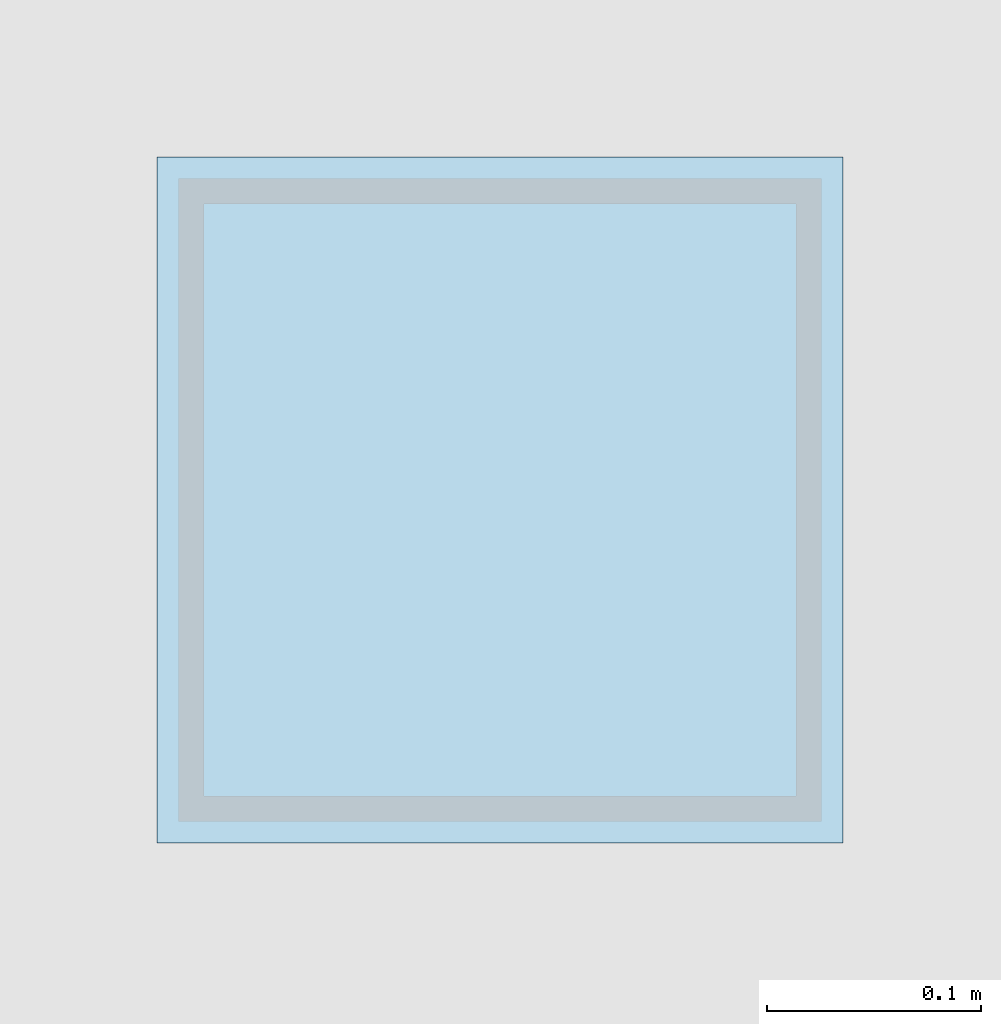
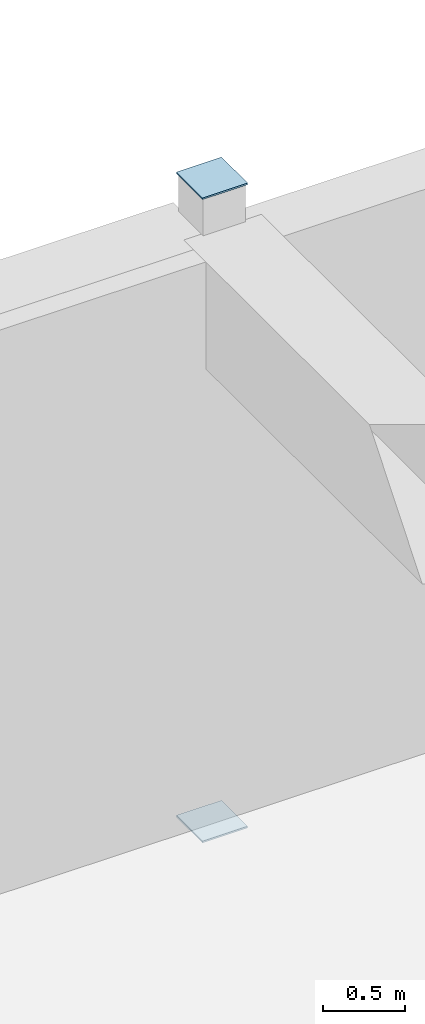
# One storey, part 23 of 42: 2 plates.
"""IFC4 building model written with IfcOpenShell, lengths in metres."""

from ifc_helpers import new_model, si_unit, direction, frame, origin, origin_2d, place, context, subcontext, project, spatial, rectangle, extrude, material, layer, layer_set, type_object, element, save


model = new_model("IFC4")

# Units and contexts
model_context = context("Model", 3, precision=1e-05, world=origin(), true_north=direction((0.0, 1.0)))
body_context = subcontext(model_context, "Body", "Model", "MODEL_VIEW")
ifc_project = project(units=[si_unit("LENGTHUNIT", "METRE"), si_unit("AREAUNIT", "SQUARE_METRE"), si_unit("VOLUMEUNIT", "CUBIC_METRE"), si_unit("PLANEANGLEUNIT", "RADIAN"), si_unit("MASSUNIT", "GRAM", prefix="KILO")], contexts=[model_context])

# Site, building, storey
site_placement = place(None, origin())
site = spatial("IfcSite", under=ifc_project, at=site_placement, CompositionType="ELEMENT")
building_placement = place(site_placement, origin())
building = spatial("IfcBuilding", under=site, at=building_placement, Name="Quendrovan Civic Courthouse", CompositionType="ELEMENT")
storey_placement = place(building_placement, frame((0.0, 0.0, -4.5)))
storey = spatial("IfcBuildingStorey", under=building, at=storey_placement, Name="B1", CompositionType="ELEMENT", Elevation=-4.5)

# Plates
ifc_material = material(Name="Steel ASTM A572 Grade 50", Category="steel")
ifc_layer = layer(ifc_material, 0.011962890625, Name="Steel ASTM A572 Grade 50")
ifc_layer_set = layer_set([ifc_layer], Name="Steel ASTM A572 Grade 50")
plate_type = type_object("IfcPlateType", Name="PLT-CAP-12", PredefinedType="SHEET", material=ifc_layer_set)
for number, where, z_axis, x_axis, name in (
    (1, (109.199951171875, 15.60009765625, 4.5), (0.0, 0.0, 1.0), (1.0, 0.0, 0.0), "B1 Hollow Column End Cap Plate COL-B1-14-C-TOP"),
    (2, (109.199951171875, 15.60009765625, -0.31201171875), (0.0, 0.0, 1.0), (1.0, 0.0, 0.0), "B1 Hollow Column End Cap Plate COL-B1-14-C-BOT"),
):
    element("IfcPlate", number, at=place(storey_placement, frame(where, z_axis=z_axis, x_axis=x_axis)), inside=storey, type_object=plate_type, Name=name, PredefinedType="SHEET", context=body_context, shape_type="SweptSolid", body=[
        extrude(rectangle(XDim=0.320068359375, YDim=0.320068359375, at=origin_2d()), origin(), (0.0, 0.0, 1.0), 0.011962890625),
    ])

save(model, "model.ifc")
